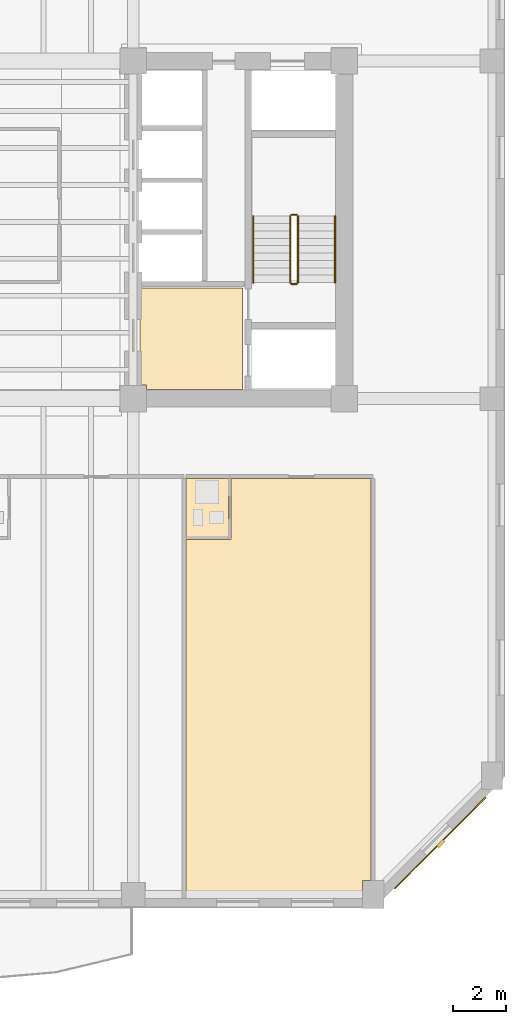
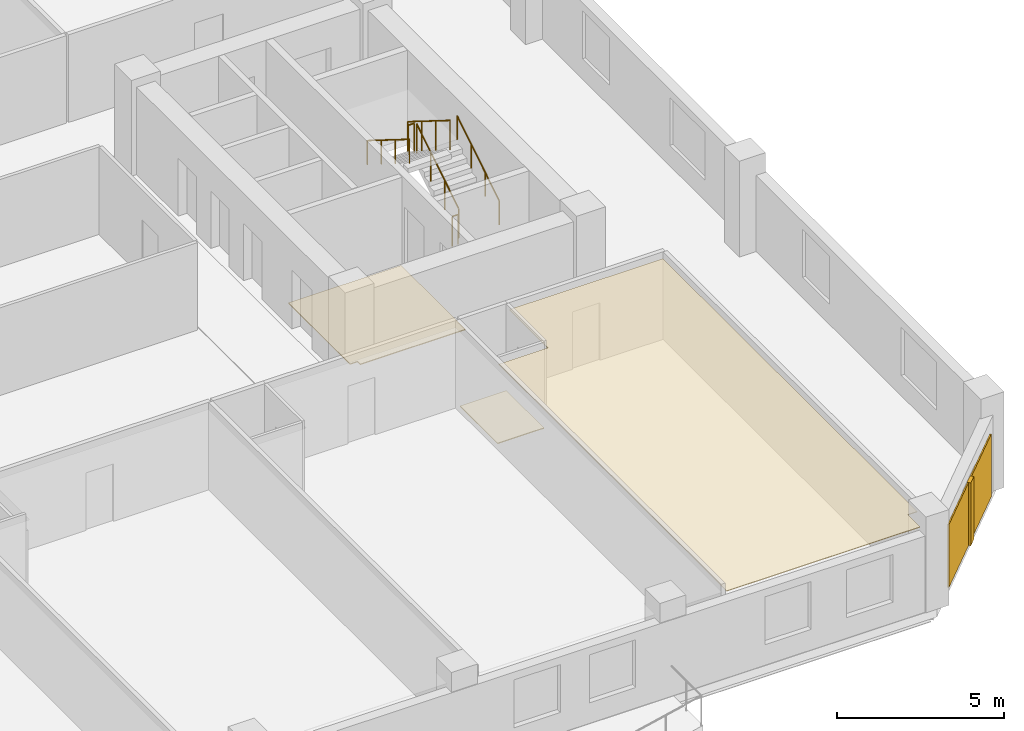
# One storey, part 8 of 10: 6 railings, 4 coverings, 1 shading device.
"""IFC4 building model written with IfcOpenShell, lengths in metres."""

from ifc_helpers import new_model, si_unit, direction, frame, origin, origin_2d, place, context, subcontext, project, spatial, polyline, rectangle, circle, outline, extrude, material, layer, layer_set, type_object, element, save


model = new_model("IFC4")

# Units and contexts
model_context = context("Model", 3, precision=1e-05, world=origin(), true_north=direction((0.0, 1.0)))
body_context = subcontext(model_context, "Body", "Model", "MODEL_VIEW")
ifc_project = project(units=[si_unit("LENGTHUNIT", "METRE"), si_unit("AREAUNIT", "SQUARE_METRE"), si_unit("VOLUMEUNIT", "CUBIC_METRE"), si_unit("PLANEANGLEUNIT", "RADIAN"), si_unit("MASSUNIT", "GRAM", prefix="KILO")], contexts=[model_context])

# Site, building, storey
site_placement = place(None, origin())
site = spatial("IfcSite", under=ifc_project, at=site_placement, CompositionType="ELEMENT")
building_placement = place(site_placement, origin())
building = spatial("IfcBuilding", under=site, at=building_placement, Name="Kranthara Brick Stack", CompositionType="ELEMENT")
storey_placement = place(building_placement, frame((0.0, 0.0, 127.300048828125)))
storey = spatial("IfcBuildingStorey", under=building, at=storey_placement, Name="L31", CompositionType="ELEMENT", Elevation=127.300048828125)

# Coverings
ifc_material_1 = material(Name="Perforated mineral-fibre acoustic ceiling tile", Category="other")
ifc_layer_1 = layer(ifc_material_1, 0.02490234375)
ifc_layer_set_1 = layer_set([ifc_layer_1], Name="Perforated mineral-fibre acoustic ceiling tile")
covering_type_1 = type_object("IfcCoveringType", Name="COV-CEIL-ACOUSTIC", PredefinedType="CEILING", material=ifc_layer_set_1)
covering_1_placement = place(storey_placement, frame((0.0, 0.0, 2.929931640625)))
element("IfcCovering", 1, at=covering_1_placement, inside=storey, type_object=covering_type_1, Name="L31 Room L31-04 Corner Junior Suite Acoustic Ceiling", PredefinedType="CEILING", context=body_context, shape_type="SweptSolid", body=[
    extrude(outline(polyline([(37.208984375, 1.800048828125), (37.208984375, 15.4599609375), (38.91015625, 15.4599609375), (38.91015625, 17.77001953125), (44.219970703125, 17.77001953125), (44.219970703125, 2.534912109375), (43.889892578125, 2.534912109375), (43.889892578125, 1.800048828125), (37.208984375, 1.800048828125)])), origin(), (0.0, 0.0, 1.0), 0.02490234375),
])
ifc_material_2 = material(Name="Warm buff kiln-fired brick slip rainscreen", Category="masonry")
ifc_layer_2 = layer(ifc_material_2, 0.044921875)
ifc_layer_set_2 = layer_set([ifc_layer_2], Name="Warm buff kiln-fired brick slip rainscreen")
covering_type_2 = type_object("IfcCoveringType", Name="COV-CLAD-BRICK", PredefinedType="CLADDING", material=ifc_layer_set_2)
covering_2_placement = place(storey_placement, frame((46.84033203125, 3.959716796875, 0.0498046875), z_axis=(0.0, 0.0, 1.0), x_axis=(-0.707106781187, -0.707106781187, 0.0)))
element("IfcCovering", 2, at=covering_2_placement, inside=storey, type_object=covering_type_2, Name="L31 Chamfer Brick Rainscreen Cladding SE", PredefinedType="CLADDING", context=body_context, shape_type="SweptSolid", body=[
    extrude(rectangle(XDim=4.89306640625, YDim=0.044921875, at=origin_2d()), origin(), (0.0, 0.0, 1.0), 2.300048828125),
])
ifc_material_3 = material(Name="Honed terrazzo and porcelain floor finish", Category="stone")
ifc_layer_3 = layer(ifc_material_3, 0.030029296875)
ifc_layer_set_3 = layer_set([ifc_layer_3], Name="Honed terrazzo and porcelain floor finish")
covering_type_3 = type_object("IfcCoveringType", Name="COV-FLOR-STONE", PredefinedType="FLOORING", material=ifc_layer_set_3)
covering_3_placement = place(storey_placement, origin())
element("IfcCovering", 3, at=covering_3_placement, inside=storey, type_object=covering_type_3, Name="L31 Lift Lobby Stone Flooring", PredefinedType="FLOORING", context=body_context, shape_type="SweptSolid", body=[
    extrude(outline(polyline([(35.449951171875, 25.0), (39.35009765625, 25.0), (39.35009765625, 21.14990234375), (35.7099609375, 21.14990234375), (35.7099609375, 21.31005859375), (35.449951171875, 21.31005859375), (35.449951171875, 25.0)])), origin(), (0.0, 0.0, 1.0), 0.030029296875),
])
covering_4_placement = place(storey_placement, origin())
element("IfcCovering", 4, at=covering_4_placement, inside=storey, type_object=covering_type_3, Name="L31 Wet Room Porcelain Flooring", PredefinedType="FLOORING", context=body_context, shape_type="SweptSolid", body=[
    extrude(outline(polyline([(37.208984375, 15.52001953125), (37.208984375, 17.77001953125), (38.81005859375, 17.77001953125), (38.81005859375, 15.52001953125), (37.208984375, 15.52001953125)])), origin(), (0.0, 0.0, 1.0), 0.030029296875),
])

# Railings
ifc_material_4 = material(Name="Painted galvanized steel stair guardrail", Category="steel")
railing_type_1 = type_object("IfcRailingType", Name="RL-STAIR-GUARD-1100", PredefinedType="GUARDRAIL", material=ifc_material_4)
railing_1_placement = place(storey_placement, frame((41.449951171875, 25.199951171875, 0.175048828125)))
element("IfcRailing", 5, at=railing_1_placement, inside=storey, type_object=railing_type_1, Name="L31 ST02 stair guard 1", PredefinedType="GUARDRAIL", context=body_context, shape_type="SweptSolid", body=[
    extrude(circle(Radius=0.02392578125, at=origin_2d()), frame((0.0, 0.0, 1.076171875), z_axis=(0.0, 0.848007534815, 0.529984170421), x_axis=(-1.0, 0.0, 0.0)), (0.0, 0.0, 1.0), 2.9716796875),
    extrude(circle(Radius=0.02099609375, at=origin_2d()), origin(), (0.0, 0.0, 1.0), 1.052001953125),
    extrude(circle(Radius=0.02099609375, at=origin_2d()), frame((0.0, 0.840087890625, 0.52490234375)), (0.0, 0.0, 1.0), 1.052001953125),
    extrude(circle(Radius=0.02099609375, at=origin_2d()), frame((0.0, 1.679931640625, 1.050048828125)), (0.0, 0.0, 1.0), 1.052001953125),
    extrude(circle(Radius=0.02099609375, at=origin_2d()), frame((0.0, 2.52001953125, 1.574951171875)), (0.0, 0.0, 1.0), 1.052001953125),
])
railing_2_placement = place(storey_placement, frame((41.39990234375, 27.77001953125, 1.75)))
element("IfcRailing", 6, at=railing_2_placement, inside=storey, type_object=railing_type_1, Name="L31 ST02 stair guard 2", PredefinedType="GUARDRAIL", context=body_context, shape_type="SweptSolid", body=[
    extrude(circle(Radius=0.02392578125, at=origin_2d()), frame((0.0, 0.0, 1.076171875), z_axis=(-1.0, 0.0, 0.0), x_axis=(0.0, -1.0, 0.0)), (0.0, 0.0, 1.0), 0.199951171875),
    extrude(circle(Radius=0.02099609375, at=origin_2d()), origin(), (0.0, 0.0, 1.0), 1.052001953125),
    extrude(circle(Radius=0.02099609375, at=origin_2d()), frame((-0.199951171875, 0.0, 0.0)), (0.0, 0.0, 1.0), 1.052001953125),
])
railing_3_placement = place(storey_placement, frame((41.14990234375, 27.719970703125, 1.925048828125)))
element("IfcRailing", 7, at=railing_3_placement, inside=storey, type_object=railing_type_1, Name="L31 ST02 stair guard 3", PredefinedType="GUARDRAIL", context=body_context, shape_type="SweptSolid", body=[
    extrude(circle(Radius=0.02392578125, at=origin_2d()), frame((0.0, 0.0, 1.076171875), z_axis=(0.0, -0.848007534815, 0.529984170421), x_axis=(1.0, 0.0, 0.0)), (0.0, 0.0, 1.0), 2.9716796875),
    extrude(circle(Radius=0.02099609375, at=origin_2d()), origin(), (0.0, 0.0, 1.0), 1.052001953125),
    extrude(circle(Radius=0.02099609375, at=origin_2d()), frame((0.0, -0.840087890625, 0.52490234375)), (0.0, 0.0, 1.0), 1.052001953125),
    extrude(circle(Radius=0.02099609375, at=origin_2d()), frame((0.0, -1.679931640625, 1.050048828125)), (0.0, 0.0, 1.0), 1.052001953125),
    extrude(circle(Radius=0.02099609375, at=origin_2d()), frame((0.0, -2.52001953125, 1.574951171875)), (0.0, 0.0, 1.0), 1.052001953125),
])
railing_4_placement = place(storey_placement, frame((41.39990234375, 25.14990234375, 0.0)))
element("IfcRailing", 8, at=railing_4_placement, inside=storey, type_object=railing_type_1, Name="L31 ST02 stair guard 4", PredefinedType="GUARDRAIL", context=body_context, shape_type="SweptSolid", body=[
    extrude(circle(Radius=0.02392578125, at=origin_2d()), frame((0.0, 0.0, 1.076171875), z_axis=(-1.0, 0.0, 0.0), x_axis=(0.0, -1.0, 0.0)), (0.0, 0.0, 1.0), 0.199951171875),
    extrude(circle(Radius=0.02099609375, at=origin_2d()), origin(), (0.0, 0.0, 1.0), 1.052001953125),
    extrude(circle(Radius=0.02099609375, at=origin_2d()), frame((-0.199951171875, 0.0, 0.0)), (0.0, 0.0, 1.0), 1.052001953125),
])
ifc_material_5 = material(Name="Brushed stainless steel tubular handrail", Category="steel")
railing_type_2 = type_object("IfcRailingType", Name="RL-STAIR-HAND-900", PredefinedType="HANDRAIL", material=ifc_material_5)
railing_5_placement = place(storey_placement, frame((42.85009765625, 25.199951171875, 0.175048828125)))
element("IfcRailing", 9, at=railing_5_placement, inside=storey, type_object=railing_type_2, Name="L31 ST02 stair handrail 1", PredefinedType="HANDRAIL", context=body_context, shape_type="SweptSolid", body=[
    extrude(circle(Radius=0.02392578125, at=origin_2d()), frame((0.0, 0.0, 0.8759765625), z_axis=(0.0, 0.848007534815, 0.529984170421), x_axis=(-1.0, 0.0, 0.0)), (0.0, 0.0, 1.0), 2.9716796875),
    extrude(circle(Radius=0.02099609375, at=origin_2d()), origin(), (0.0, 0.0, 1.0), 0.851806640625),
    extrude(circle(Radius=0.02099609375, at=origin_2d()), frame((0.0, 0.840087890625, 0.52490234375)), (0.0, 0.0, 1.0), 0.851806640625),
    extrude(circle(Radius=0.02099609375, at=origin_2d()), frame((0.0, 1.679931640625, 1.050048828125)), (0.0, 0.0, 1.0), 0.851806640625),
    extrude(circle(Radius=0.02099609375, at=origin_2d()), frame((0.0, 2.52001953125, 1.574951171875)), (0.0, 0.0, 1.0), 0.851806640625),
])
railing_6_placement = place(storey_placement, frame((39.75, 27.719970703125, 1.925048828125)))
element("IfcRailing", 10, at=railing_6_placement, inside=storey, type_object=railing_type_2, Name="L31 ST02 stair handrail 2", PredefinedType="HANDRAIL", context=body_context, shape_type="SweptSolid", body=[
    extrude(circle(Radius=0.02392578125, at=origin_2d()), frame((0.0, 0.0, 0.8759765625), z_axis=(0.0, -0.848007534815, 0.529984170421), x_axis=(1.0, 0.0, 0.0)), (0.0, 0.0, 1.0), 2.9716796875),
    extrude(circle(Radius=0.02099609375, at=origin_2d()), origin(), (0.0, 0.0, 1.0), 0.851806640625),
    extrude(circle(Radius=0.02099609375, at=origin_2d()), frame((0.0, -0.840087890625, 0.52490234375)), (0.0, 0.0, 1.0), 0.851806640625),
    extrude(circle(Radius=0.02099609375, at=origin_2d()), frame((0.0, -1.679931640625, 1.050048828125)), (0.0, 0.0, 1.0), 0.851806640625),
    extrude(circle(Radius=0.02099609375, at=origin_2d()), frame((0.0, -2.52001953125, 1.574951171875)), (0.0, 0.0, 1.0), 0.851806640625),
])

# Shading device
ifc_material_6 = material(Name="Kiln-fired terracotta aerodynamic wind fin", Category="masonry")
shading_device_type = type_object("IfcShadingDeviceType", Name="SHD-BAFFLE-CORNER", PredefinedType="SHUTTER", material=ifc_material_6)
shading_device_placement = place(storey_placement, frame((46.861572265625, 3.9384765625, 0.0498046875), z_axis=(0.0, 0.0, 1.0), x_axis=(-0.707106781187, -0.707106781187, 0.0)))
element("IfcShadingDevice", 11, at=shading_device_placement, inside=storey, type_object=shading_device_type, Name="L31 Chamfer Wind-Baffle Fin SE", PredefinedType="SHUTTER", context=body_context, shape_type="SweptSolid", body=[
    extrude(rectangle(XDim=0.35009765625, YDim=0.1201171875, at=origin_2d()), origin(), (0.0, 0.0, 1.0), 2.300048828125),
])

save(model, "model.ifc")
